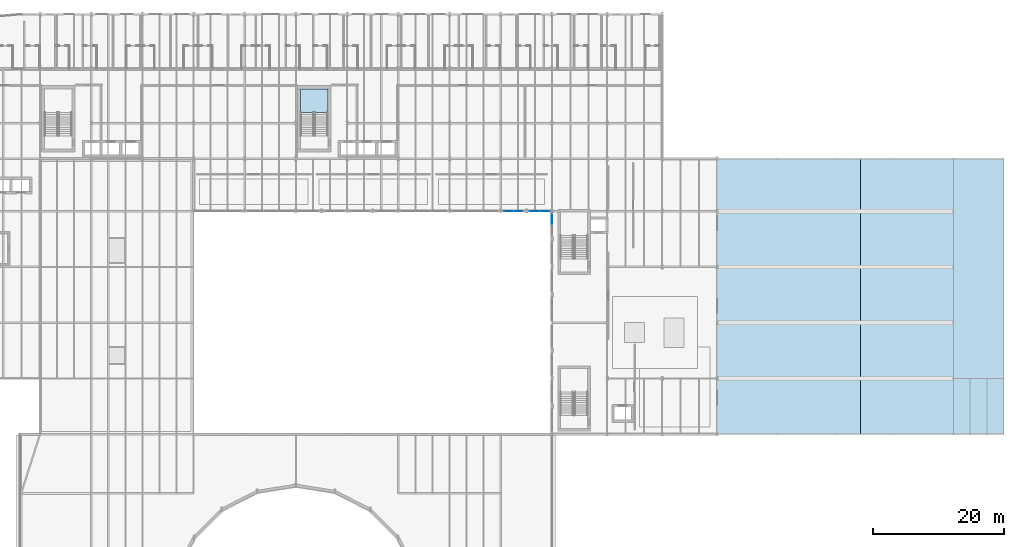
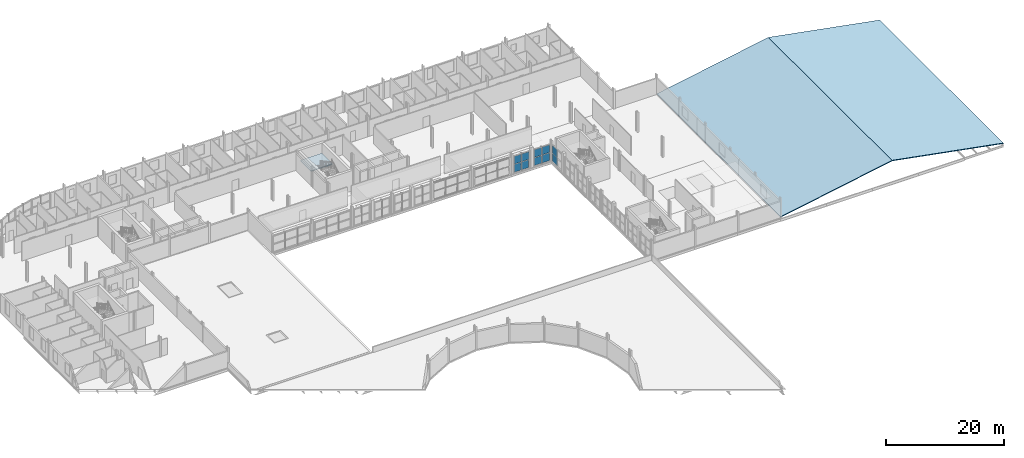
# One storey, part 35 of 58: 10 plates, 3 slabs, 4 elements without a shape of their own.
"""IFC4 building model written with IfcOpenShell, lengths in metres."""

from ifc_helpers import new_model, si_unit, direction, frame, origin, origin_2d, place, context, subcontext, project, spatial, polyline, rectangle, outline, extrude, material, layer, layer_set, type_object, element, aggregate, save


model = new_model("IFC4")

# Units and contexts
model_context = context("Model", 3, precision=1e-05, world=origin(), true_north=direction((0.0, 1.0)))
body_context = subcontext(model_context, "Body", "Model", "MODEL_VIEW")
ifc_project = project(units=[si_unit("LENGTHUNIT", "METRE"), si_unit("AREAUNIT", "SQUARE_METRE"), si_unit("VOLUMEUNIT", "CUBIC_METRE"), si_unit("PLANEANGLEUNIT", "RADIAN"), si_unit("MASSUNIT", "GRAM", prefix="KILO")], contexts=[model_context])

# Site, building, storey
site_placement = place(None, origin())
site = spatial("IfcSite", under=ifc_project, at=site_placement, CompositionType="ELEMENT")
building_placement = place(site_placement, origin())
building = spatial("IfcBuilding", under=site, at=building_placement, Name="Sefraquen Railside Congress Hotel", CompositionType="ELEMENT")
storey_placement = place(building_placement, frame((0.0, 0.0, 16.199951171875)))
storey = spatial("IfcBuildingStorey", under=building, at=storey_placement, Name="L03", CompositionType="ELEMENT", Elevation=16.199951171875)

# Curtain wall, plates
ifc_material_1 = material(Name="Thermally broken anodised aluminium and low-E double glazing", Category="aluminium")
ifc_layer_1 = layer(ifc_material_1, 0.199951171875)
ifc_layer_set_1 = layer_set([ifc_layer_1], Name="Thermally broken anodised aluminium and low-E double glazing")
curtain_wall_type_1 = type_object("IfcCurtainWallType", Name="TCW-UCW-02", PredefinedType="USERDEFINED", material=ifc_layer_set_1)
curtain_wall_1_placement = place(storey_placement, origin())
curtain_wall_1 = element("IfcCurtainWall", 1, at=curtain_wall_1_placement, inside=storey, type_object=curtain_wall_type_1, Name="Meeting Wing L03 courtyard north curtain wall 3 bay 3", ObjectType="UNITISED CURTAIN WALL", PredefinedType="USERDEFINED")
ifc_material_2 = material(Name="Solar-control low-E double glazing", Category="glass")
ifc_layer_2 = layer(ifc_material_2, 0.02392578125)
ifc_layer_set_2 = layer_set([ifc_layer_2], Name="Solar-control low-E double glazing")
plate_type_1 = type_object("IfcPlateType", Name="TP-CWP-01", PredefinedType="CURTAIN_PANEL", material=ifc_layer_set_2)
plate_1_placement = place(storey_placement, frame((96.614990234375, 88.0, 0.0400390625), z_axis=(0.0, 0.0, 1.0), x_axis=(1.0, 0.0, 0.0)))
plate_1 = element("IfcPlate", 2, at=plate_1_placement, type_object=plate_type_1, Name="CW-L03-066-S3 panel 1.1", PredefinedType="CURTAIN_PANEL", context=body_context, shape_type="SweptSolid", body=[
    extrude(rectangle(XDim=1.3798828125, YDim=0.02392578125, at=origin_2d()), origin(), (0.0, 0.0, 1.0), 1.60498046875),
])
plate_2_placement = place(storey_placement, frame((98.0849609375, 88.0, 0.0400390625), z_axis=(0.0, 0.0, 1.0), x_axis=(1.0, 0.0, 0.0)))
plate_2 = element("IfcPlate", 3, at=plate_2_placement, type_object=plate_type_1, Name="CW-L03-066-S3 panel 1.2", PredefinedType="CURTAIN_PANEL", context=body_context, shape_type="SweptSolid", body=[
    extrude(rectangle(XDim=1.3798828125, YDim=0.02392578125, at=origin_2d()), origin(), (0.0, 0.0, 1.0), 1.60498046875),
])

curtain_wall_2_placement = place(storey_placement, origin())
curtain_wall_2 = element("IfcCurtainWall", 4, at=curtain_wall_2_placement, inside=storey, type_object=curtain_wall_type_1, Name="Meeting Wing L03 courtyard north curtain wall 3 bay 4", ObjectType="UNITISED CURTAIN WALL", PredefinedType="USERDEFINED")
plate_3_placement = place(storey_placement, frame((100.5576171875, 88.0, 0.0400390625), z_axis=(0.0, 0.0, 1.0), x_axis=(1.0, 0.0, 0.0)))
plate_3 = element("IfcPlate", 5, at=plate_3_placement, type_object=plate_type_1, Name="CW-L03-066-S4 panel 1.1", PredefinedType="CURTAIN_PANEL", context=body_context, shape_type="SweptSolid", body=[
    extrude(rectangle(XDim=1.465087890625, YDim=0.02392578125, at=origin_2d()), origin(), (0.0, 0.0, 1.0), 1.60498046875),
])
plate_4_placement = place(storey_placement, frame((102.112548828125, 88.0, 0.0400390625), z_axis=(0.0, 0.0, 1.0), x_axis=(1.0, 0.0, 0.0)))
plate_4 = element("IfcPlate", 6, at=plate_4_placement, type_object=plate_type_1, Name="CW-L03-066-S4 panel 1.2", PredefinedType="CURTAIN_PANEL", context=body_context, shape_type="SweptSolid", body=[
    extrude(rectangle(XDim=1.465087890625, YDim=0.02392578125, at=origin_2d()), origin(), (0.0, 0.0, 1.0), 1.60498046875),
])

# Curtain wall, plate
ifc_layer_3 = layer(ifc_material_1, 0.199951171875)
ifc_layer_set_3 = layer_set([ifc_layer_3], Name="Thermally broken anodised aluminium and low-E double glazing")
curtain_wall_type_2 = type_object("IfcCurtainWallType", Name="TCW-UCW-04", PredefinedType="USERDEFINED", material=ifc_layer_set_3)
curtain_wall_3_placement = place(storey_placement, origin())
curtain_wall_3 = element("IfcCurtainWall", 7, at=curtain_wall_3_placement, inside=storey, type_object=curtain_wall_type_2, Name="Meeting Wing L03 courtyard east curtain wall bay 4", ObjectType="UNITISED CURTAIN WALL", PredefinedType="USERDEFINED")
plate_5_placement = place(storey_placement, frame((103.199951171875, 86.824951171875, 0.0400390625), z_axis=(0.0, 0.0, 1.0), x_axis=(0.0, 1.0, 0.0)))
plate_5 = element("IfcPlate", 8, at=plate_5_placement, type_object=plate_type_1, Name="CW-L03-068-S4 panel 1.2", PredefinedType="CURTAIN_PANEL", context=body_context, shape_type="SweptSolid", body=[
    extrude(rectangle(XDim=1.639892578125, YDim=0.02392578125, at=origin_2d()), origin(), (0.0, 0.0, 1.0), 1.60498046875),
])

# Plate
ifc_material_3 = material(Name="Triple acoustic solar-control glazing", Category="glass")
ifc_layer_4 = layer(ifc_material_3, 0.031982421875)
ifc_layer_set_4 = layer_set([ifc_layer_4], Name="Triple acoustic solar-control glazing")
plate_type_2 = type_object("IfcPlateType", Name="TP-CWP-02", PredefinedType="CURTAIN_PANEL", material=ifc_layer_set_4)
plate_6_placement = place(storey_placement, frame((96.614990234375, 88.0, 1.72509765625), z_axis=(0.0, 0.0, 1.0), x_axis=(1.0, 0.0, 0.0)))
plate_6 = element("IfcPlate", 9, at=plate_6_placement, type_object=plate_type_2, Name="CW-L03-066-S3 panel 2.1", PredefinedType="CURTAIN_PANEL", context=body_context, shape_type="SweptSolid", body=[
    extrude(rectangle(XDim=1.3798828125, YDim=0.031982421875, at=origin_2d()), origin(), (0.0, 0.0, 1.0), 1.60498046875),
])

plate_7_placement = place(storey_placement, frame((98.0849609375, 88.0, 1.72509765625), z_axis=(0.0, 0.0, 1.0), x_axis=(1.0, 0.0, 0.0)))
plate_7 = element("IfcPlate", 10, at=plate_7_placement, type_object=plate_type_2, Name="CW-L03-066-S3 panel 2.2", PredefinedType="CURTAIN_PANEL", context=body_context, shape_type="SweptSolid", body=[
    extrude(rectangle(XDim=1.3798828125, YDim=0.031982421875, at=origin_2d()), origin(), (0.0, 0.0, 1.0), 1.60498046875),
])

aggregate(curtain_wall_1, [plate_1, plate_2, plate_6, plate_7])

plate_8_placement = place(storey_placement, frame((100.5576171875, 88.0, 1.72509765625), z_axis=(0.0, 0.0, 1.0), x_axis=(1.0, 0.0, 0.0)))
plate_8 = element("IfcPlate", 11, at=plate_8_placement, type_object=plate_type_2, Name="CW-L03-066-S4 panel 2.1", PredefinedType="CURTAIN_PANEL", context=body_context, shape_type="SweptSolid", body=[
    extrude(rectangle(XDim=1.465087890625, YDim=0.031982421875, at=origin_2d()), origin(), (0.0, 0.0, 1.0), 1.60498046875),
])

plate_9_placement = place(storey_placement, frame((102.112548828125, 88.0, 1.72509765625), z_axis=(0.0, 0.0, 1.0), x_axis=(1.0, 0.0, 0.0)))
plate_9 = element("IfcPlate", 12, at=plate_9_placement, type_object=plate_type_2, Name="CW-L03-066-S4 panel 2.2", PredefinedType="CURTAIN_PANEL", context=body_context, shape_type="SweptSolid", body=[
    extrude(rectangle(XDim=1.465087890625, YDim=0.031982421875, at=origin_2d()), origin(), (0.0, 0.0, 1.0), 1.60498046875),
])

aggregate(curtain_wall_2, [plate_3, plate_4, plate_8, plate_9])

plate_10_placement = place(storey_placement, frame((103.199951171875, 86.824951171875, 1.72509765625), z_axis=(0.0, 0.0, 1.0), x_axis=(0.0, 1.0, 0.0)))
plate_10 = element("IfcPlate", 13, at=plate_10_placement, type_object=plate_type_2, Name="CW-L03-068-S4 panel 2.2", PredefinedType="CURTAIN_PANEL", context=body_context, shape_type="SweptSolid", body=[
    extrude(rectangle(XDim=1.639892578125, YDim=0.031982421875, at=origin_2d()), origin(), (0.0, 0.0, 1.0), 1.60498046875),
])

aggregate(curtain_wall_3, [plate_5, plate_10])

# Stair, slab
ifc_material_4 = material(Name="Concrete C40/50", Category="concrete")
stair_type = type_object("IfcStairType", Name="TST-DOG-198-450", PredefinedType="HALF_TURN_STAIR", material=ifc_material_4)
stair_placement = place(storey_placement, origin())
stair = element("IfcStair", 14, at=stair_placement, inside=storey, type_object=stair_type, Name="L03 Pressurized escape stair ST-H03", PredefinedType="HALF_TURN_STAIR")
ifc_layer_5 = layer(ifc_material_4, 0.199951171875)
ifc_layer_set_5 = layer_set([ifc_layer_5], Name="Concrete C40/50")
slab_type_1 = type_object("IfcSlabType", Name="TS-LD-200", PredefinedType="LANDING", material=ifc_layer_set_5)
slab_1_placement = place(storey_placement, frame((0.0, 0.0, 1.900146484375)))
slab_1 = element("IfcSlab", 15, at=slab_1_placement, type_object=slab_type_1, Name="ST-H03 landing 1", PredefinedType="LANDING", context=body_context, shape_type="SweptSolid", body=[
    extrude(outline(polyline([(69.06005859375, 103.02197265625), (69.06005859375, 106.612060546875), (64.89990234375, 106.612060546875), (64.89990234375, 103.02197265625), (69.06005859375, 103.02197265625)])), origin(), (0.0, 0.0, 1.0), 0.199951171875),
])
aggregate(stair, [slab_1])

# Slabs
ifc_layer_6 = layer(ifc_material_4, 0.14990234375)
ifc_layer_set_6 = layer_set([ifc_layer_6], Name="Concrete C40/50")
slab_type_2 = type_object("IfcSlabType", Name="TS-RF-150", PredefinedType="ROOF", material=ifc_layer_set_6)
slab_2_placement = place(storey_placement, frame((128.449951171875, 54.050048828125, 0.0400390625), z_axis=(-0.182240057749, 0.0, 0.983254067549), x_axis=(0.983254067549, 0.0, 0.182240057749)))
element("IfcSlab", 16, at=slab_2_placement, inside=storey, type_object=slab_type_2, Name="Grand Ballroom pavilion west pitched roof slope", PredefinedType="ROOF", context=body_context, shape_type="SweptSolid", body=[
    extrude(outline(polyline([(0.0, 0.0), (22.146001936867926, 0.0), (22.146001936867926, 41.949951171875), (0.0, 41.949951171875), (0.0, 0.0)])), origin(), (0.0, 0.0, -1.0), 0.14990234375),
])
slab_3_placement = place(storey_placement, frame((150.22509765625, 54.050048828125, 4.075927734375), z_axis=(0.182242033166, 0.0, 0.983253701416), x_axis=(0.983253701416, 0.0, -0.182242033166)))
element("IfcSlab", 17, at=slab_3_placement, inside=storey, type_object=slab_type_2, Name="Grand Ballroom pavilion east pitched roof slope", PredefinedType="ROOF", context=body_context, shape_type="SweptSolid", body=[
    extrude(outline(polyline([(0.0, 0.0), (22.145761884650035, 0.0), (22.145761884650035, 41.949951171875), (0.0, 41.949951171875), (0.0, 0.0)])), origin(), (0.0, 0.0, -1.0), 0.14990234375),
])

save(model, "model.ifc")
